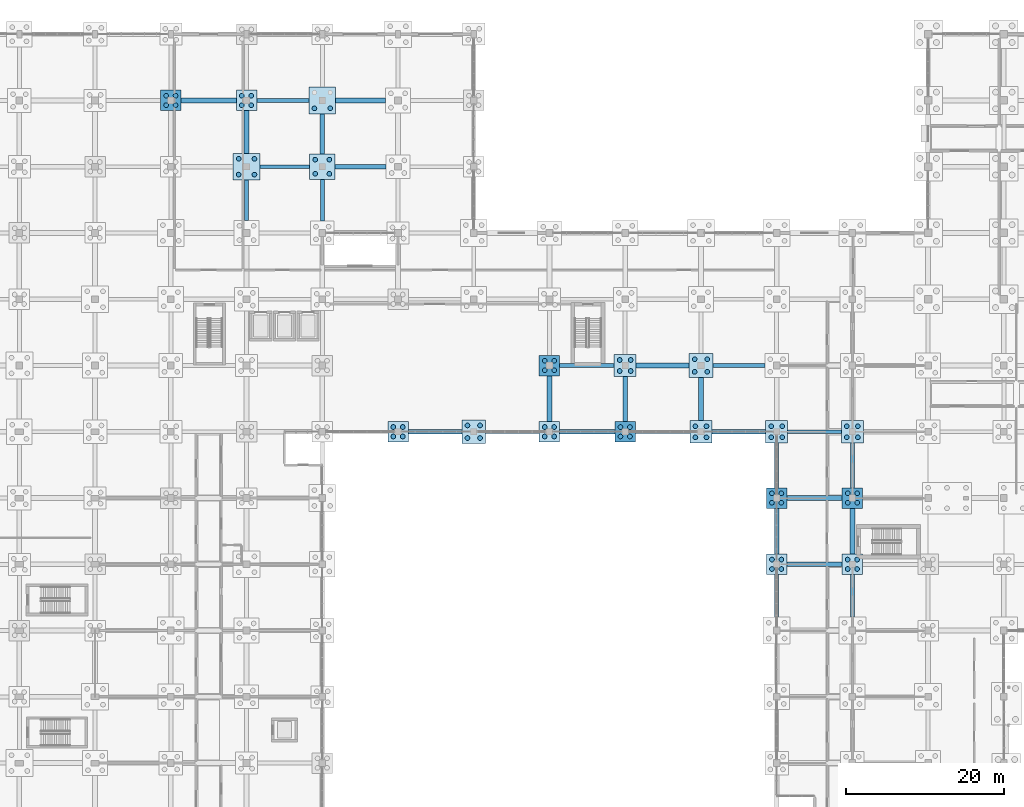
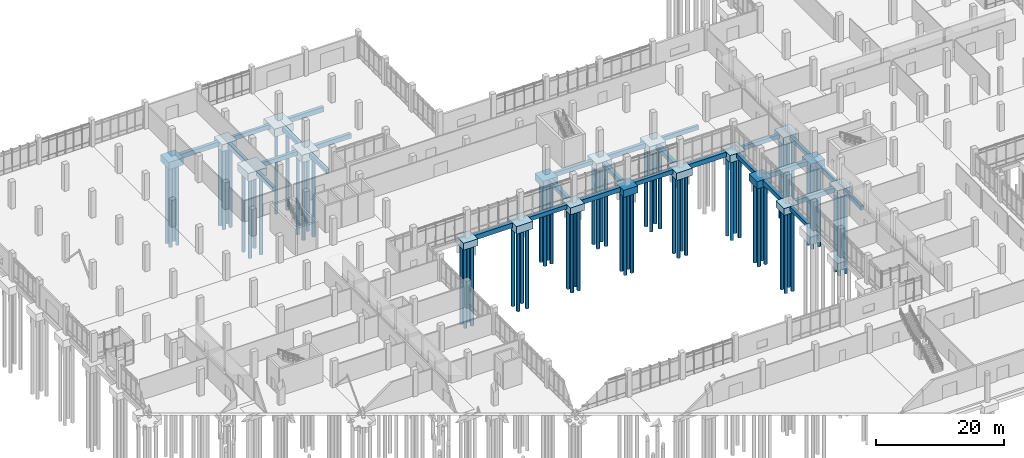
# One storey, part 9 of 136: 74 piles, 48 footings.
"""IFC4 building model written with IfcOpenShell, lengths in metres."""

from ifc_helpers import new_model, si_unit, direction, frame, origin, origin_2d, place, context, subcontext, project, spatial, rectangle, circle, extrude, material, material_profile, profile_set, type_object, element, save


model = new_model("IFC4")

# Units and contexts
model_context = context("Model", 3, precision=1e-05, world=origin(), true_north=direction((0.0, 1.0)))
body_context = subcontext(model_context, "Body", "Model", "MODEL_VIEW")
ifc_project = project(units=[si_unit("LENGTHUNIT", "METRE"), si_unit("AREAUNIT", "SQUARE_METRE"), si_unit("VOLUMEUNIT", "CUBIC_METRE"), si_unit("PLANEANGLEUNIT", "RADIAN"), si_unit("MASSUNIT", "GRAM", prefix="KILO")], contexts=[model_context])

# Site, building, storey
site_placement = place(None, origin())
site = spatial("IfcSite", under=ifc_project, at=site_placement, CompositionType="ELEMENT")
building_placement = place(site_placement, origin())
building = spatial("IfcBuilding", under=site, at=building_placement, Name="Oolite Switchyard Hospital", CompositionType="ELEMENT")
storey_placement = place(building_placement, origin())
storey = spatial("IfcBuildingStorey", under=building, at=storey_placement, Name="L00", CompositionType="ELEMENT", Elevation=0.0)

# Footings
ifc_material = material(Name="Concrete C40/50", Category="concrete")
footing_type_1 = type_object("IfcFootingType", Name="FTG-GB500X800", PredefinedType="FOOTING_BEAM", material=ifc_material)
footing_1_placement = place(storey_placement, frame((81.699951171875, 84.0, -1.14990234375), z_axis=(0.0, 0.0, 1.0), x_axis=(1.0, 0.0, 0.0)))
element("IfcFooting", 1, at=footing_1_placement, inside=storey, type_object=footing_type_1, Name="L00 Grade Beam 150", PredefinedType="FOOTING_BEAM", context=body_context, shape_type="SweptSolid", body=[
    extrude(rectangle(XDim=6.800048828125, YDim=0.5, at=origin_2d()), origin(), (0.0, 0.0, 1.0), 0.800048828125),
])
footing_2_placement = place(storey_placement, frame((100.75, 84.0, -1.14990234375), z_axis=(0.0, 0.0, 1.0), x_axis=(1.0, 0.0, 0.0)))
element("IfcFooting", 2, at=footing_2_placement, inside=storey, type_object=footing_type_1, Name="L00 Grade Beam 152", PredefinedType="FOOTING_BEAM", context=body_context, shape_type="SweptSolid", body=[
    extrude(rectangle(XDim=6.89990234375, YDim=0.5, at=origin_2d()), origin(), (0.0, 0.0, 1.0), 0.800048828125),
])
footing_3_placement = place(storey_placement, frame((120.0, 84.0, -1.14990234375), z_axis=(0.0, 0.0, 1.0), x_axis=(1.0, 0.0, 0.0)))
element("IfcFooting", 3, at=footing_3_placement, inside=storey, type_object=footing_type_1, Name="L00 Grade Beam 154", PredefinedType="FOOTING_BEAM", context=body_context, shape_type="SweptSolid", body=[
    extrude(rectangle(XDim=6.800048828125, YDim=0.5, at=origin_2d()), origin(), (0.0, 0.0, 1.0), 0.800048828125),
])
footing_4_placement = place(storey_placement, frame((91.14990234375, 92.39990234375, -1.14990234375), z_axis=(0.0, 0.0, 1.0), x_axis=(1.0, 0.0, 0.0)))
element("IfcFooting", 4, at=footing_4_placement, inside=storey, type_object=footing_type_1, Name="L00 Grade Beam 166", PredefinedType="FOOTING_BEAM", context=body_context, shape_type="SweptSolid", body=[
    extrude(rectangle(XDim=6.89990234375, YDim=0.5, at=origin_2d()), origin(), (0.0, 0.0, 1.0), 0.800048828125),
])
footing_5_placement = place(storey_placement, frame((110.39990234375, 92.39990234375, -1.14990234375), z_axis=(0.0, 0.0, 1.0), x_axis=(1.0, 0.0, 0.0)))
element("IfcFooting", 5, at=footing_5_placement, inside=storey, type_object=footing_type_1, Name="L00 Grade Beam 168", PredefinedType="FOOTING_BEAM", context=body_context, shape_type="SweptSolid", body=[
    extrude(rectangle(XDim=6.60009765625, YDim=0.5, at=origin_2d()), origin(), (0.0, 0.0, 1.0), 0.800048828125),
])
footing_6_placement = place(storey_placement, frame((52.85009765625, 117.60009765625, -1.14990234375), z_axis=(0.0, 0.0, 1.0), x_axis=(1.0, 0.0, 0.0)))
element("IfcFooting", 6, at=footing_6_placement, inside=storey, type_object=footing_type_1, Name="L00 Grade Beam 224", PredefinedType="FOOTING_BEAM", context=body_context, shape_type="SweptSolid", body=[
    extrude(rectangle(XDim=6.300048828125, YDim=0.5, at=origin_2d()), origin(), (0.0, 0.0, 1.0), 0.800048828125),
])
footing_7_placement = place(storey_placement, frame((52.60009765625, 126.0, -1.14990234375), z_axis=(0.0, 0.0, 1.0), x_axis=(1.0, 0.0, 0.0)))
element("IfcFooting", 7, at=footing_7_placement, inside=storey, type_object=footing_type_1, Name="L00 Grade Beam 240", PredefinedType="FOOTING_BEAM", context=body_context, shape_type="SweptSolid", body=[
    extrude(rectangle(XDim=6.60009765625, YDim=0.5, at=origin_2d()), origin(), (0.0, 0.0, 1.0), 0.800048828125),
])
footing_8_placement = place(storey_placement, frame((48.0, 113.35009765625, -1.14990234375), z_axis=(0.0, 0.0, 1.0), x_axis=(0.0, 1.0, 0.0)))
element("IfcFooting", 8, at=footing_8_placement, inside=storey, type_object=footing_type_1, Name="L00 Grade Beam 357", PredefinedType="FOOTING_BEAM", context=body_context, shape_type="SweptSolid", body=[
    extrude(rectangle(XDim=5.10009765625, YDim=0.5, at=origin_2d()), origin(), (0.0, 0.0, 1.0), 0.800048828125),
])
footing_9_placement = place(storey_placement, frame((57.60009765625, 113.35009765625, -1.14990234375), z_axis=(0.0, 0.0, 1.0), x_axis=(0.0, 1.0, 0.0)))
element("IfcFooting", 9, at=footing_9_placement, inside=storey, type_object=footing_type_1, Name="L00 Grade Beam 373", PredefinedType="FOOTING_BEAM", context=body_context, shape_type="SweptSolid", body=[
    extrude(rectangle(XDim=5.300048828125, YDim=0.5, at=origin_2d()), origin(), (0.0, 0.0, 1.0), 0.800048828125),
])
footing_10_placement = place(storey_placement, frame((115.199951171875, 63.199951171875, -1.14990234375), z_axis=(0.0, 0.0, 1.0), x_axis=(0.0, 1.0, 0.0)))
element("IfcFooting", 10, at=footing_10_placement, inside=storey, type_object=footing_type_1, Name="L00 Grade Beam 405", PredefinedType="FOOTING_BEAM", context=body_context, shape_type="SweptSolid", body=[
    extrude(rectangle(XDim=5.39990234375, YDim=0.5, at=origin_2d()), origin(), (0.0, 0.0, 1.0), 0.800048828125),
])
footing_11_placement = place(storey_placement, frame((115.199951171875, 79.75, -1.14990234375), z_axis=(0.0, 0.0, 1.0), x_axis=(0.0, 1.0, 0.0)))
element("IfcFooting", 11, at=footing_11_placement, inside=storey, type_object=footing_type_1, Name="L00 Grade Beam 407", PredefinedType="FOOTING_BEAM", context=body_context, shape_type="SweptSolid", body=[
    extrude(rectangle(XDim=5.699951171875, YDim=0.5, at=origin_2d()), origin(), (0.0, 0.0, 1.0), 0.800048828125),
])
footing_12_placement = place(storey_placement, frame((124.800048828125, 63.199951171875, -1.14990234375), z_axis=(0.0, 0.0, 1.0), x_axis=(0.0, 1.0, 0.0)))
element("IfcFooting", 12, at=footing_12_placement, inside=storey, type_object=footing_type_1, Name="L00 Grade Beam 415", PredefinedType="FOOTING_BEAM", context=body_context, shape_type="SweptSolid", body=[
    extrude(rectangle(XDim=5.39990234375, YDim=0.5, at=origin_2d()), origin(), (0.0, 0.0, 1.0), 0.800048828125),
])
footing_13_placement = place(storey_placement, frame((124.800048828125, 79.75, -1.14990234375), z_axis=(0.0, 0.0, 1.0), x_axis=(0.0, 1.0, 0.0)))
element("IfcFooting", 13, at=footing_13_placement, inside=storey, type_object=footing_type_1, Name="L00 Grade Beam 417", PredefinedType="FOOTING_BEAM", context=body_context, shape_type="SweptSolid", body=[
    extrude(rectangle(XDim=5.699951171875, YDim=0.5, at=origin_2d()), origin(), (0.0, 0.0, 1.0), 0.800048828125),
])
footing_type_2 = type_object("IfcFootingType", Name="FTG-GB600X900", PredefinedType="FOOTING_BEAM", material=ifc_material)
for number, where, z_axis, x_axis, name in (
    (14, (120.0, 67.199951171875, -1.25), (0.0, 0.0, 1.0), (1.0, 0.0, 0.0), "L00 Grade Beam 117"),
    (15, (120.0, 75.60009765625, -1.25), (0.0, 0.0, 1.0), (1.0, 0.0, 0.0), "L00 Grade Beam 133"),
):
    element("IfcFooting", number, at=place(storey_placement, frame(where, z_axis=z_axis, x_axis=x_axis)), inside=storey, type_object=footing_type_2, Name=name, PredefinedType="FOOTING_BEAM", context=body_context, shape_type="SweptSolid", body=[
        extrude(rectangle(XDim=7.0, YDim=0.60009765625, at=origin_2d()), origin(), (0.0, 0.0, 1.0), 0.89990234375),
    ])
footing_14_placement = place(storey_placement, frame((71.89990234375, 84.0, -1.25), z_axis=(0.0, 0.0, 1.0), x_axis=(1.0, 0.0, 0.0)))
element("IfcFooting", 16, at=footing_14_placement, inside=storey, type_object=footing_type_2, Name="L00 Grade Beam 149", PredefinedType="FOOTING_BEAM", context=body_context, shape_type="SweptSolid", body=[
    extrude(rectangle(XDim=6.800048828125, YDim=0.60009765625, at=origin_2d()), origin(), (0.0, 0.0, 1.0), 0.89990234375),
])
footing_15_placement = place(storey_placement, frame((91.199951171875, 84.0, -1.25), z_axis=(0.0, 0.0, 1.0), x_axis=(1.0, 0.0, 0.0)))
element("IfcFooting", 17, at=footing_15_placement, inside=storey, type_object=footing_type_2, Name="L00 Grade Beam 151", PredefinedType="FOOTING_BEAM", context=body_context, shape_type="SweptSolid", body=[
    extrude(rectangle(XDim=7.0, YDim=0.60009765625, at=origin_2d()), origin(), (0.0, 0.0, 1.0), 0.89990234375),
])
footing_16_placement = place(storey_placement, frame((110.39990234375, 84.0, -1.25), z_axis=(0.0, 0.0, 1.0), x_axis=(1.0, 0.0, 0.0)))
element("IfcFooting", 18, at=footing_16_placement, inside=storey, type_object=footing_type_2, Name="L00 Grade Beam 153", PredefinedType="FOOTING_BEAM", context=body_context, shape_type="SweptSolid", body=[
    extrude(rectangle(XDim=6.800048828125, YDim=0.60009765625, at=origin_2d()), origin(), (0.0, 0.0, 1.0), 0.89990234375),
])
footing_17_placement = place(storey_placement, frame((100.75, 92.39990234375, -1.25), z_axis=(0.0, 0.0, 1.0), x_axis=(1.0, 0.0, 0.0)))
element("IfcFooting", 19, at=footing_17_placement, inside=storey, type_object=footing_type_2, Name="L00 Grade Beam 167", PredefinedType="FOOTING_BEAM", context=body_context, shape_type="SweptSolid", body=[
    extrude(rectangle(XDim=6.699951171875, YDim=0.60009765625, at=origin_2d()), origin(), (0.0, 0.0, 1.0), 0.89990234375),
])
footing_18_placement = place(storey_placement, frame((62.449951171875, 117.60009765625, -1.25), z_axis=(0.0, 0.0, 1.0), x_axis=(1.0, 0.0, 0.0)))
element("IfcFooting", 20, at=footing_18_placement, inside=storey, type_object=footing_type_2, Name="L00 Grade Beam 225", PredefinedType="FOOTING_BEAM", context=body_context, shape_type="SweptSolid", body=[
    extrude(rectangle(XDim=6.5, YDim=0.60009765625, at=origin_2d()), origin(), (0.0, 0.0, 1.0), 0.89990234375),
])
footing_19_placement = place(storey_placement, frame((43.199951171875, 126.0, -1.25), z_axis=(0.0, 0.0, 1.0), x_axis=(1.0, 0.0, 0.0)))
element("IfcFooting", 21, at=footing_19_placement, inside=storey, type_object=footing_type_2, Name="L00 Grade Beam 239", PredefinedType="FOOTING_BEAM", context=body_context, shape_type="SweptSolid", body=[
    extrude(rectangle(XDim=7.0, YDim=0.60009765625, at=origin_2d()), origin(), (0.0, 0.0, 1.0), 0.89990234375),
])
footing_20_placement = place(storey_placement, frame((62.449951171875, 126.0, -1.25), z_axis=(0.0, 0.0, 1.0), x_axis=(1.0, 0.0, 0.0)))
element("IfcFooting", 22, at=footing_20_placement, inside=storey, type_object=footing_type_2, Name="L00 Grade Beam 241", PredefinedType="FOOTING_BEAM", context=body_context, shape_type="SweptSolid", body=[
    extrude(rectangle(XDim=6.300048828125, YDim=0.60009765625, at=origin_2d()), origin(), (0.0, 0.0, 1.0), 0.89990234375),
])
footing_21_placement = place(storey_placement, frame((48.0, 122.0, -1.25), z_axis=(0.0, 0.0, 1.0), x_axis=(0.0, 1.0, 0.0)))
element("IfcFooting", 23, at=footing_21_placement, inside=storey, type_object=footing_type_2, Name="L00 Grade Beam 358", PredefinedType="FOOTING_BEAM", context=body_context, shape_type="SweptSolid", body=[
    extrude(rectangle(XDim=5.39990234375, YDim=0.60009765625, at=origin_2d()), origin(), (0.0, 0.0, 1.0), 0.89990234375),
])
footing_22_placement = place(storey_placement, frame((57.60009765625, 121.75, -1.25), z_axis=(0.0, 0.0, 1.0), x_axis=(0.0, 1.0, 0.0)))
element("IfcFooting", 24, at=footing_22_placement, inside=storey, type_object=footing_type_2, Name="L00 Grade Beam 374", PredefinedType="FOOTING_BEAM", context=body_context, shape_type="SweptSolid", body=[
    extrude(rectangle(XDim=5.10009765625, YDim=0.60009765625, at=origin_2d()), origin(), (0.0, 0.0, 1.0), 0.89990234375),
])
footing_23_placement = place(storey_placement, frame((86.39990234375, 88.199951171875, -1.25), z_axis=(0.0, 0.0, 1.0), x_axis=(0.0, 1.0, 0.0)))
element("IfcFooting", 25, at=footing_23_placement, inside=storey, type_object=footing_type_2, Name="L00 Grade Beam 390", PredefinedType="FOOTING_BEAM", context=body_context, shape_type="SweptSolid", body=[
    extrude(rectangle(XDim=5.800048828125, YDim=0.60009765625, at=origin_2d()), origin(), (0.0, 0.0, 1.0), 0.89990234375),
])
footing_24_placement = place(storey_placement, frame((96.0, 88.14990234375, -1.25), z_axis=(0.0, 0.0, 1.0), x_axis=(0.0, 1.0, 0.0)))
element("IfcFooting", 26, at=footing_24_placement, inside=storey, type_object=footing_type_2, Name="L00 Grade Beam 394", PredefinedType="FOOTING_BEAM", context=body_context, shape_type="SweptSolid", body=[
    extrude(rectangle(XDim=5.699951171875, YDim=0.60009765625, at=origin_2d()), origin(), (0.0, 0.0, 1.0), 0.89990234375),
])
footing_25_placement = place(storey_placement, frame((105.60009765625, 88.14990234375, -1.25), z_axis=(0.0, 0.0, 1.0), x_axis=(0.0, 1.0, 0.0)))
element("IfcFooting", 27, at=footing_25_placement, inside=storey, type_object=footing_type_2, Name="L00 Grade Beam 398", PredefinedType="FOOTING_BEAM", context=body_context, shape_type="SweptSolid", body=[
    extrude(rectangle(XDim=5.5, YDim=0.60009765625, at=origin_2d()), origin(), (0.0, 0.0, 1.0), 0.89990234375),
])
for number, where, z_axis, x_axis, name in (
    (28, (115.199951171875, 71.39990234375, -1.25), (0.0, 0.0, 1.0), (0.0, 1.0, 0.0), "L00 Grade Beam 406"),
    (29, (124.800048828125, 71.39990234375, -1.25), (0.0, 0.0, 1.0), (0.0, 1.0, 0.0), "L00 Grade Beam 416"),
):
    element("IfcFooting", number, at=place(storey_placement, frame(where, z_axis=z_axis, x_axis=x_axis)), inside=storey, type_object=footing_type_2, Name=name, PredefinedType="FOOTING_BEAM", context=body_context, shape_type="SweptSolid", body=[
        extrude(rectangle(XDim=5.800048828125, YDim=0.60009765625, at=origin_2d()), origin(), (0.0, 0.0, 1.0), 0.89990234375),
    ])
footing_type_3 = type_object("IfcFootingType", Name="FTG-PC24", PredefinedType="PILE_CAP", material=ifc_material)
for number, where, z_axis, x_axis, name in (
    (30, (48.0, 126.0, -1.64990234375), (0.0, 0.0, 1.0), (1.0, 0.0, 0.0), "L00 Multi-Pile Cap 103"),
    (31, (67.199951171875, 84.0, -1.64990234375), (0.0, 0.0, 1.0), (1.0, 0.0, 0.0), "L00 Multi-Pile Cap 127"),
    (32, (86.39990234375, 84.0, -1.64990234375), (0.0, 0.0, 1.0), (1.0, 0.0, 0.0), "L00 Multi-Pile Cap 145"),
    (33, (115.199951171875, 67.199951171875, -1.64990234375), (0.0, 0.0, 1.0), (1.0, 0.0, 0.0), "L00 Multi-Pile Cap 169"),
    (34, (124.800048828125, 67.199951171875, -1.64990234375), (0.0, 0.0, 1.0), (1.0, 0.0, 0.0), "L00 Multi-Pile Cap 181"),
):
    element("IfcFooting", number, at=place(storey_placement, frame(where, z_axis=z_axis, x_axis=x_axis)), inside=storey, type_object=footing_type_3, Name=name, PredefinedType="PILE_CAP", context=body_context, shape_type="SweptSolid", body=[
        extrude(rectangle(XDim=2.60009765625, YDim=2.60009765625, at=origin_2d()), origin(), (0.0, 0.0, 1.0), 1.300048828125),
    ])
footing_type_4 = type_object("IfcFootingType", Name="FTG-PC26", PredefinedType="PILE_CAP", material=ifc_material)
for number, where, z_axis, x_axis, name in (
    (35, (38.39990234375, 126.0, -1.699951171875), (0.0, 0.0, 1.0), (1.0, 0.0, 0.0), "L00 Multi-Pile Cap 86"),
    (36, (86.39990234375, 92.39990234375, -1.699951171875), (0.0, 0.0, 1.0), (1.0, 0.0, 0.0), "L00 Multi-Pile Cap 146"),
    (37, (96.0, 84.0, -1.699951171875), (0.0, 0.0, 1.0), (1.0, 0.0, 0.0), "L00 Multi-Pile Cap 152"),
    (38, (115.199951171875, 75.60009765625, -1.699951171875), (0.0, 0.0, 1.0), (1.0, 0.0, 0.0), "L00 Multi-Pile Cap 170"),
    (39, (124.800048828125, 75.60009765625, -1.699951171875), (0.0, 0.0, 1.0), (1.0, 0.0, 0.0), "L00 Multi-Pile Cap 182"),
):
    element("IfcFooting", number, at=place(storey_placement, frame(where, z_axis=z_axis, x_axis=x_axis)), inside=storey, type_object=footing_type_4, Name=name, PredefinedType="PILE_CAP", context=body_context, shape_type="SweptSolid", body=[
        extrude(rectangle(XDim=2.60009765625, YDim=2.60009765625, at=origin_2d()), origin(), (0.0, 0.0, 1.0), 1.35009765625),
    ])
footing_type_5 = type_object("IfcFootingType", Name="FTG-PC28", PredefinedType="PILE_CAP", material=ifc_material)
for number, where, z_axis, x_axis, name in (
    (40, (96.0, 92.39990234375, -1.75), (0.0, 0.0, 1.0), (1.0, 0.0, 0.0), "L00 Multi-Pile Cap 153"),
    (41, (105.60009765625, 84.0, -1.75), (0.0, 0.0, 1.0), (1.0, 0.0, 0.0), "L00 Multi-Pile Cap 159"),
    (42, (115.199951171875, 84.0, -1.75), (0.0, 0.0, 1.0), (1.0, 0.0, 0.0), "L00 Multi-Pile Cap 171"),
    (43, (124.800048828125, 84.0, -1.75), (0.0, 0.0, 1.0), (1.0, 0.0, 0.0), "L00 Multi-Pile Cap 183"),
):
    element("IfcFooting", number, at=place(storey_placement, frame(where, z_axis=z_axis, x_axis=x_axis)), inside=storey, type_object=footing_type_5, Name=name, PredefinedType="PILE_CAP", context=body_context, shape_type="SweptSolid", body=[
        extrude(rectangle(XDim=2.800048828125, YDim=2.800048828125, at=origin_2d()), origin(), (0.0, 0.0, 1.0), 1.39990234375),
    ])
footing_type_6 = type_object("IfcFootingType", Name="FTG-PC30", PredefinedType="PILE_CAP", material=ifc_material)
for number, where, z_axis, x_axis, name in (
    (44, (76.800048828125, 84.0, -1.77001953125), (0.0, 0.0, 1.0), (1.0, 0.0, 0.0), "L00 Multi-Pile Cap 136"),
    (45, (105.60009765625, 92.39990234375, -1.77001953125), (0.0, 0.0, 1.0), (1.0, 0.0, 0.0), "L00 Multi-Pile Cap 160"),
):
    element("IfcFooting", number, at=place(storey_placement, frame(where, z_axis=z_axis, x_axis=x_axis)), inside=storey, type_object=footing_type_6, Name=name, PredefinedType="PILE_CAP", context=body_context, shape_type="SweptSolid", body=[
        extrude(rectangle(XDim=3.0, YDim=3.0, at=origin_2d()), origin(), (0.0, 0.0, 1.0), 1.419921875),
    ])
footing_type_7 = type_object("IfcFootingType", Name="FTG-PC32", PredefinedType="PILE_CAP", material=ifc_material)
footing_26_placement = place(storey_placement, frame((57.60009765625, 117.60009765625, -1.7998046875), z_axis=(0.0, 0.0, 1.0), x_axis=(1.0, 0.0, 0.0)))
element("IfcFooting", 46, at=footing_26_placement, inside=storey, type_object=footing_type_7, Name="L00 Multi-Pile Cap 119", PredefinedType="PILE_CAP", context=body_context, shape_type="SweptSolid", body=[
    extrude(rectangle(XDim=3.199951171875, YDim=3.199951171875, at=origin_2d()), origin(), (0.0, 0.0, 1.0), 1.449951171875),
])
footing_type_8 = type_object("IfcFootingType", Name="FTG-PC34", PredefinedType="PILE_CAP", material=ifc_material)
for number, where, z_axis, x_axis, name in (
    (47, (48.0, 117.60009765625, -1.85009765625), (0.0, 0.0, 1.0), (1.0, 0.0, 0.0), "L00 Multi-Pile Cap 102"),
    (48, (57.60009765625, 126.0, -1.85009765625), (0.0, 0.0, 1.0), (1.0, 0.0, 0.0), "L00 Multi-Pile Cap 120"),
):
    element("IfcFooting", number, at=place(storey_placement, frame(where, z_axis=z_axis, x_axis=x_axis)), inside=storey, type_object=footing_type_8, Name=name, PredefinedType="PILE_CAP", context=body_context, shape_type="SweptSolid", body=[
        extrude(rectangle(XDim=3.39990234375, YDim=3.39990234375, at=origin_2d()), origin(), (0.0, 0.0, 1.0), 1.5),
    ])

# Piles
ifc_material_profile = material_profile(ifc_material, circle(Radius=0.300048828125, at=origin_2d()), Name="PILE600")
ifc_profile_set = profile_set([ifc_material_profile], Name="Concrete C40/50")
pile_type = type_object("IfcPileType", Name="PILE-ACIP600", PredefinedType="BORED", material=ifc_profile_set)
for number, where, z_axis, x_axis, name in (
    (49, (37.800048828125, 125.39990234375, -1.550048828125), (0.0, 0.0, -1.0), (1.0, 0.0, 0.0), "Augercast Pile 341"),
    (50, (39.0, 125.39990234375, -1.550048828125), (0.0, 0.0, -1.0), (1.0, 0.0, 0.0), "Augercast Pile 342"),
    (51, (37.800048828125, 126.60009765625, -1.550048828125), (0.0, 0.0, -1.0), (1.0, 0.0, 0.0), "Augercast Pile 343"),
    (52, (39.0, 126.60009765625, -1.550048828125), (0.0, 0.0, -1.0), (1.0, 0.0, 0.0), "Augercast Pile 344"),
):
    element("IfcPile", number, at=place(storey_placement, frame(where, z_axis=z_axis, x_axis=x_axis)), inside=storey, type_object=pile_type, Name=name, PredefinedType="BORED", context=body_context, shape_type="SweptSolid", body=[
        extrude(circle(Radius=0.300048828125, at=origin_2d()), origin(), (0.0, 0.0, 1.0), 15.449951171875),
    ])
for number, where, z_axis, x_axis, name in (
    (53, (47.0, 116.60009765625, -1.699951171875), (0.0, 0.0, -1.0), (1.0, 0.0, 0.0), "Augercast Pile 405"),
    (54, (49.0, 116.60009765625, -1.699951171875), (0.0, 0.0, -1.0), (1.0, 0.0, 0.0), "Augercast Pile 406"),
    (55, (47.0, 118.60009765625, -1.699951171875), (0.0, 0.0, -1.0), (1.0, 0.0, 0.0), "Augercast Pile 407"),
    (56, (49.0, 118.60009765625, -1.699951171875), (0.0, 0.0, -1.0), (1.0, 0.0, 0.0), "Augercast Pile 408"),
):
    element("IfcPile", number, at=place(storey_placement, frame(where, z_axis=z_axis, x_axis=x_axis)), inside=storey, type_object=pile_type, Name=name, PredefinedType="BORED", context=body_context, shape_type="SweptSolid", body=[
        extrude(circle(Radius=0.300048828125, at=origin_2d()), origin(), (0.0, 0.0, 1.0), 15.300048828125),
    ])
for number, where, z_axis, x_axis, name in (
    (57, (47.39990234375, 125.39990234375, -1.5), (0.0, 0.0, -1.0), (1.0, 0.0, 0.0), "Augercast Pile 409"),
    (58, (48.60009765625, 125.39990234375, -1.5), (0.0, 0.0, -1.0), (1.0, 0.0, 0.0), "Augercast Pile 410"),
    (59, (47.39990234375, 126.60009765625, -1.5), (0.0, 0.0, -1.0), (1.0, 0.0, 0.0), "Augercast Pile 411"),
    (60, (48.60009765625, 126.60009765625, -1.5), (0.0, 0.0, -1.0), (1.0, 0.0, 0.0), "Augercast Pile 412"),
):
    element("IfcPile", number, at=place(storey_placement, frame(where, z_axis=z_axis, x_axis=x_axis)), inside=storey, type_object=pile_type, Name=name, PredefinedType="BORED", context=body_context, shape_type="SweptSolid", body=[
        extrude(circle(Radius=0.300048828125, at=origin_2d()), origin(), (0.0, 0.0, 1.0), 15.5),
    ])
for number, where, z_axis, x_axis, name in (
    (61, (56.699951171875, 116.699951171875, -1.64990234375), (0.0, 0.0, -1.0), (1.0, 0.0, 0.0), "Augercast Pile 473"),
    (62, (58.5, 116.699951171875, -1.64990234375), (0.0, 0.0, -1.0), (1.0, 0.0, 0.0), "Augercast Pile 474"),
    (63, (56.699951171875, 118.5, -1.64990234375), (0.0, 0.0, -1.0), (1.0, 0.0, 0.0), "Augercast Pile 475"),
    (64, (58.5, 118.5, -1.64990234375), (0.0, 0.0, -1.0), (1.0, 0.0, 0.0), "Augercast Pile 476"),
):
    element("IfcPile", number, at=place(storey_placement, frame(where, z_axis=z_axis, x_axis=x_axis)), inside=storey, type_object=pile_type, Name=name, PredefinedType="BORED", context=body_context, shape_type="SweptSolid", body=[
        extrude(circle(Radius=0.300048828125, at=origin_2d()), origin(), (0.0, 0.0, 1.0), 15.35009765625),
    ])
for number, where, z_axis, x_axis, name in (
    (65, (56.60009765625, 125.0, -1.699951171875), (0.0, 0.0, -1.0), (1.0, 0.0, 0.0), "Augercast Pile 477"),
    (66, (58.60009765625, 125.0, -1.699951171875), (0.0, 0.0, -1.0), (1.0, 0.0, 0.0), "Augercast Pile 478"),
):
    element("IfcPile", number, at=place(storey_placement, frame(where, z_axis=z_axis, x_axis=x_axis)), inside=storey, type_object=pile_type, Name=name, PredefinedType="BORED", context=body_context, shape_type="SweptSolid", body=[
        extrude(circle(Radius=0.300048828125, at=origin_2d()), origin(), (0.0, 0.0, 1.0), 15.300048828125),
    ])
for number, where, z_axis, x_axis, name in (
    (67, (66.60009765625, 83.39990234375, -1.5), (0.0, 0.0, -1.0), (1.0, 0.0, 0.0), "Augercast Pile 505"),
    (68, (67.800048828125, 83.39990234375, -1.5), (0.0, 0.0, -1.0), (1.0, 0.0, 0.0), "Augercast Pile 506"),
    (69, (66.60009765625, 84.60009765625, -1.5), (0.0, 0.0, -1.0), (1.0, 0.0, 0.0), "Augercast Pile 507"),
    (70, (67.800048828125, 84.60009765625, -1.5), (0.0, 0.0, -1.0), (1.0, 0.0, 0.0), "Augercast Pile 508"),
):
    element("IfcPile", number, at=place(storey_placement, frame(where, z_axis=z_axis, x_axis=x_axis)), inside=storey, type_object=pile_type, Name=name, PredefinedType="BORED", context=body_context, shape_type="SweptSolid", body=[
        extrude(circle(Radius=0.300048828125, at=origin_2d()), origin(), (0.0, 0.0, 1.0), 15.5),
    ])
for number, where, z_axis, x_axis, name in (
    (71, (76.0, 83.199951171875, -1.6201171875), (0.0, 0.0, -1.0), (1.0, 0.0, 0.0), "Augercast Pile 541"),
    (72, (77.60009765625, 83.199951171875, -1.6201171875), (0.0, 0.0, -1.0), (1.0, 0.0, 0.0), "Augercast Pile 542"),
    (73, (76.0, 84.800048828125, -1.6201171875), (0.0, 0.0, -1.0), (1.0, 0.0, 0.0), "Augercast Pile 543"),
    (74, (77.60009765625, 84.800048828125, -1.6201171875), (0.0, 0.0, -1.0), (1.0, 0.0, 0.0), "Augercast Pile 544"),
):
    element("IfcPile", number, at=place(storey_placement, frame(where, z_axis=z_axis, x_axis=x_axis)), inside=storey, type_object=pile_type, Name=name, PredefinedType="BORED", context=body_context, shape_type="SweptSolid", body=[
        extrude(circle(Radius=0.300048828125, at=origin_2d()), origin(), (0.0, 0.0, 1.0), 15.3798828125),
    ])
for number, where, z_axis, x_axis, name in (
    (75, (85.800048828125, 83.39990234375, -1.5), (0.0, 0.0, -1.0), (1.0, 0.0, 0.0), "Augercast Pile 577"),
    (76, (87.0, 83.39990234375, -1.5), (0.0, 0.0, -1.0), (1.0, 0.0, 0.0), "Augercast Pile 578"),
    (77, (85.800048828125, 84.60009765625, -1.5), (0.0, 0.0, -1.0), (1.0, 0.0, 0.0), "Augercast Pile 579"),
    (78, (87.0, 84.60009765625, -1.5), (0.0, 0.0, -1.0), (1.0, 0.0, 0.0), "Augercast Pile 580"),
):
    element("IfcPile", number, at=place(storey_placement, frame(where, z_axis=z_axis, x_axis=x_axis)), inside=storey, type_object=pile_type, Name=name, PredefinedType="BORED", context=body_context, shape_type="SweptSolid", body=[
        extrude(circle(Radius=0.300048828125, at=origin_2d()), origin(), (0.0, 0.0, 1.0), 15.5),
    ])
for number, where, z_axis, x_axis, name in (
    (79, (85.800048828125, 91.800048828125, -1.550048828125), (0.0, 0.0, -1.0), (1.0, 0.0, 0.0), "Augercast Pile 581"),
    (80, (87.0, 91.800048828125, -1.550048828125), (0.0, 0.0, -1.0), (1.0, 0.0, 0.0), "Augercast Pile 582"),
    (81, (85.800048828125, 93.0, -1.550048828125), (0.0, 0.0, -1.0), (1.0, 0.0, 0.0), "Augercast Pile 583"),
    (82, (87.0, 93.0, -1.550048828125), (0.0, 0.0, -1.0), (1.0, 0.0, 0.0), "Augercast Pile 584"),
    (83, (95.39990234375, 83.39990234375, -1.550048828125), (0.0, 0.0, -1.0), (1.0, 0.0, 0.0), "Augercast Pile 605"),
    (84, (96.60009765625, 83.39990234375, -1.550048828125), (0.0, 0.0, -1.0), (1.0, 0.0, 0.0), "Augercast Pile 606"),
    (85, (95.39990234375, 84.60009765625, -1.550048828125), (0.0, 0.0, -1.0), (1.0, 0.0, 0.0), "Augercast Pile 607"),
    (86, (96.60009765625, 84.60009765625, -1.550048828125), (0.0, 0.0, -1.0), (1.0, 0.0, 0.0), "Augercast Pile 608"),
):
    element("IfcPile", number, at=place(storey_placement, frame(where, z_axis=z_axis, x_axis=x_axis)), inside=storey, type_object=pile_type, Name=name, PredefinedType="BORED", context=body_context, shape_type="SweptSolid", body=[
        extrude(circle(Radius=0.300048828125, at=origin_2d()), origin(), (0.0, 0.0, 1.0), 15.449951171875),
    ])
for number, where, z_axis, x_axis, name in (
    (87, (95.300048828125, 91.699951171875, -1.60009765625), (0.0, 0.0, -1.0), (1.0, 0.0, 0.0), "Augercast Pile 609"),
    (88, (96.699951171875, 91.699951171875, -1.60009765625), (0.0, 0.0, -1.0), (1.0, 0.0, 0.0), "Augercast Pile 610"),
    (89, (95.300048828125, 93.10009765625, -1.60009765625), (0.0, 0.0, -1.0), (1.0, 0.0, 0.0), "Augercast Pile 611"),
    (90, (96.699951171875, 93.10009765625, -1.60009765625), (0.0, 0.0, -1.0), (1.0, 0.0, 0.0), "Augercast Pile 612"),
    (91, (104.89990234375, 83.300048828125, -1.60009765625), (0.0, 0.0, -1.0), (1.0, 0.0, 0.0), "Augercast Pile 633"),
    (92, (106.300048828125, 83.300048828125, -1.60009765625), (0.0, 0.0, -1.0), (1.0, 0.0, 0.0), "Augercast Pile 634"),
    (93, (104.89990234375, 84.699951171875, -1.60009765625), (0.0, 0.0, -1.0), (1.0, 0.0, 0.0), "Augercast Pile 635"),
    (94, (106.300048828125, 84.699951171875, -1.60009765625), (0.0, 0.0, -1.0), (1.0, 0.0, 0.0), "Augercast Pile 636"),
):
    element("IfcPile", number, at=place(storey_placement, frame(where, z_axis=z_axis, x_axis=x_axis)), inside=storey, type_object=pile_type, Name=name, PredefinedType="BORED", context=body_context, shape_type="SweptSolid", body=[
        extrude(circle(Radius=0.300048828125, at=origin_2d()), origin(), (0.0, 0.0, 1.0), 15.39990234375),
    ])
for number, where, z_axis, x_axis, name in (
    (95, (104.800048828125, 91.60009765625, -1.6201171875), (0.0, 0.0, -1.0), (1.0, 0.0, 0.0), "Augercast Pile 637"),
    (96, (106.39990234375, 91.60009765625, -1.6201171875), (0.0, 0.0, -1.0), (1.0, 0.0, 0.0), "Augercast Pile 638"),
    (97, (104.800048828125, 93.199951171875, -1.6201171875), (0.0, 0.0, -1.0), (1.0, 0.0, 0.0), "Augercast Pile 639"),
    (98, (106.39990234375, 93.199951171875, -1.6201171875), (0.0, 0.0, -1.0), (1.0, 0.0, 0.0), "Augercast Pile 640"),
):
    element("IfcPile", number, at=place(storey_placement, frame(where, z_axis=z_axis, x_axis=x_axis)), inside=storey, type_object=pile_type, Name=name, PredefinedType="BORED", context=body_context, shape_type="SweptSolid", body=[
        extrude(circle(Radius=0.300048828125, at=origin_2d()), origin(), (0.0, 0.0, 1.0), 15.3798828125),
    ])
for number, where, z_axis, x_axis, name in (
    (99, (114.60009765625, 66.60009765625, -1.5), (0.0, 0.0, -1.0), (1.0, 0.0, 0.0), "Augercast Pile 673"),
    (100, (115.800048828125, 66.60009765625, -1.5), (0.0, 0.0, -1.0), (1.0, 0.0, 0.0), "Augercast Pile 674"),
    (101, (114.60009765625, 67.800048828125, -1.5), (0.0, 0.0, -1.0), (1.0, 0.0, 0.0), "Augercast Pile 675"),
    (102, (115.800048828125, 67.800048828125, -1.5), (0.0, 0.0, -1.0), (1.0, 0.0, 0.0), "Augercast Pile 676"),
):
    element("IfcPile", number, at=place(storey_placement, frame(where, z_axis=z_axis, x_axis=x_axis)), inside=storey, type_object=pile_type, Name=name, PredefinedType="BORED", context=body_context, shape_type="SweptSolid", body=[
        extrude(circle(Radius=0.300048828125, at=origin_2d()), origin(), (0.0, 0.0, 1.0), 15.5),
    ])
for number, where, z_axis, x_axis, name in (
    (103, (114.60009765625, 75.0, -1.550048828125), (0.0, 0.0, -1.0), (1.0, 0.0, 0.0), "Augercast Pile 677"),
    (104, (115.800048828125, 75.0, -1.550048828125), (0.0, 0.0, -1.0), (1.0, 0.0, 0.0), "Augercast Pile 678"),
    (105, (114.60009765625, 76.199951171875, -1.550048828125), (0.0, 0.0, -1.0), (1.0, 0.0, 0.0), "Augercast Pile 679"),
    (106, (115.800048828125, 76.199951171875, -1.550048828125), (0.0, 0.0, -1.0), (1.0, 0.0, 0.0), "Augercast Pile 680"),
):
    element("IfcPile", number, at=place(storey_placement, frame(where, z_axis=z_axis, x_axis=x_axis)), inside=storey, type_object=pile_type, Name=name, PredefinedType="BORED", context=body_context, shape_type="SweptSolid", body=[
        extrude(circle(Radius=0.300048828125, at=origin_2d()), origin(), (0.0, 0.0, 1.0), 15.449951171875),
    ])
for number, where, z_axis, x_axis, name in (
    (107, (114.5, 83.300048828125, -1.60009765625), (0.0, 0.0, -1.0), (1.0, 0.0, 0.0), "Augercast Pile 681"),
    (108, (115.89990234375, 83.300048828125, -1.60009765625), (0.0, 0.0, -1.0), (1.0, 0.0, 0.0), "Augercast Pile 682"),
    (109, (114.5, 84.699951171875, -1.60009765625), (0.0, 0.0, -1.0), (1.0, 0.0, 0.0), "Augercast Pile 683"),
    (110, (115.89990234375, 84.699951171875, -1.60009765625), (0.0, 0.0, -1.0), (1.0, 0.0, 0.0), "Augercast Pile 684"),
):
    element("IfcPile", number, at=place(storey_placement, frame(where, z_axis=z_axis, x_axis=x_axis)), inside=storey, type_object=pile_type, Name=name, PredefinedType="BORED", context=body_context, shape_type="SweptSolid", body=[
        extrude(circle(Radius=0.300048828125, at=origin_2d()), origin(), (0.0, 0.0, 1.0), 15.39990234375),
    ])
for number, where, z_axis, x_axis, name in (
    (111, (124.199951171875, 66.60009765625, -1.5), (0.0, 0.0, -1.0), (1.0, 0.0, 0.0), "Augercast Pile 721"),
    (112, (125.39990234375, 66.60009765625, -1.5), (0.0, 0.0, -1.0), (1.0, 0.0, 0.0), "Augercast Pile 722"),
    (113, (124.199951171875, 67.800048828125, -1.5), (0.0, 0.0, -1.0), (1.0, 0.0, 0.0), "Augercast Pile 723"),
    (114, (125.39990234375, 67.800048828125, -1.5), (0.0, 0.0, -1.0), (1.0, 0.0, 0.0), "Augercast Pile 724"),
):
    element("IfcPile", number, at=place(storey_placement, frame(where, z_axis=z_axis, x_axis=x_axis)), inside=storey, type_object=pile_type, Name=name, PredefinedType="BORED", context=body_context, shape_type="SweptSolid", body=[
        extrude(circle(Radius=0.300048828125, at=origin_2d()), origin(), (0.0, 0.0, 1.0), 15.5),
    ])
for number, where, z_axis, x_axis, name in (
    (115, (124.199951171875, 75.0, -1.550048828125), (0.0, 0.0, -1.0), (1.0, 0.0, 0.0), "Augercast Pile 725"),
    (116, (125.39990234375, 75.0, -1.550048828125), (0.0, 0.0, -1.0), (1.0, 0.0, 0.0), "Augercast Pile 726"),
    (117, (124.199951171875, 76.199951171875, -1.550048828125), (0.0, 0.0, -1.0), (1.0, 0.0, 0.0), "Augercast Pile 727"),
    (118, (125.39990234375, 76.199951171875, -1.550048828125), (0.0, 0.0, -1.0), (1.0, 0.0, 0.0), "Augercast Pile 728"),
):
    element("IfcPile", number, at=place(storey_placement, frame(where, z_axis=z_axis, x_axis=x_axis)), inside=storey, type_object=pile_type, Name=name, PredefinedType="BORED", context=body_context, shape_type="SweptSolid", body=[
        extrude(circle(Radius=0.300048828125, at=origin_2d()), origin(), (0.0, 0.0, 1.0), 15.449951171875),
    ])
for number, where, z_axis, x_axis, name in (
    (119, (124.10009765625, 83.300048828125, -1.60009765625), (0.0, 0.0, -1.0), (1.0, 0.0, 0.0), "Augercast Pile 729"),
    (120, (125.5, 83.300048828125, -1.60009765625), (0.0, 0.0, -1.0), (1.0, 0.0, 0.0), "Augercast Pile 730"),
    (121, (124.10009765625, 84.699951171875, -1.60009765625), (0.0, 0.0, -1.0), (1.0, 0.0, 0.0), "Augercast Pile 731"),
    (122, (125.5, 84.699951171875, -1.60009765625), (0.0, 0.0, -1.0), (1.0, 0.0, 0.0), "Augercast Pile 732"),
):
    element("IfcPile", number, at=place(storey_placement, frame(where, z_axis=z_axis, x_axis=x_axis)), inside=storey, type_object=pile_type, Name=name, PredefinedType="BORED", context=body_context, shape_type="SweptSolid", body=[
        extrude(circle(Radius=0.300048828125, at=origin_2d()), origin(), (0.0, 0.0, 1.0), 15.39990234375),
    ])

save(model, "model.ifc")
